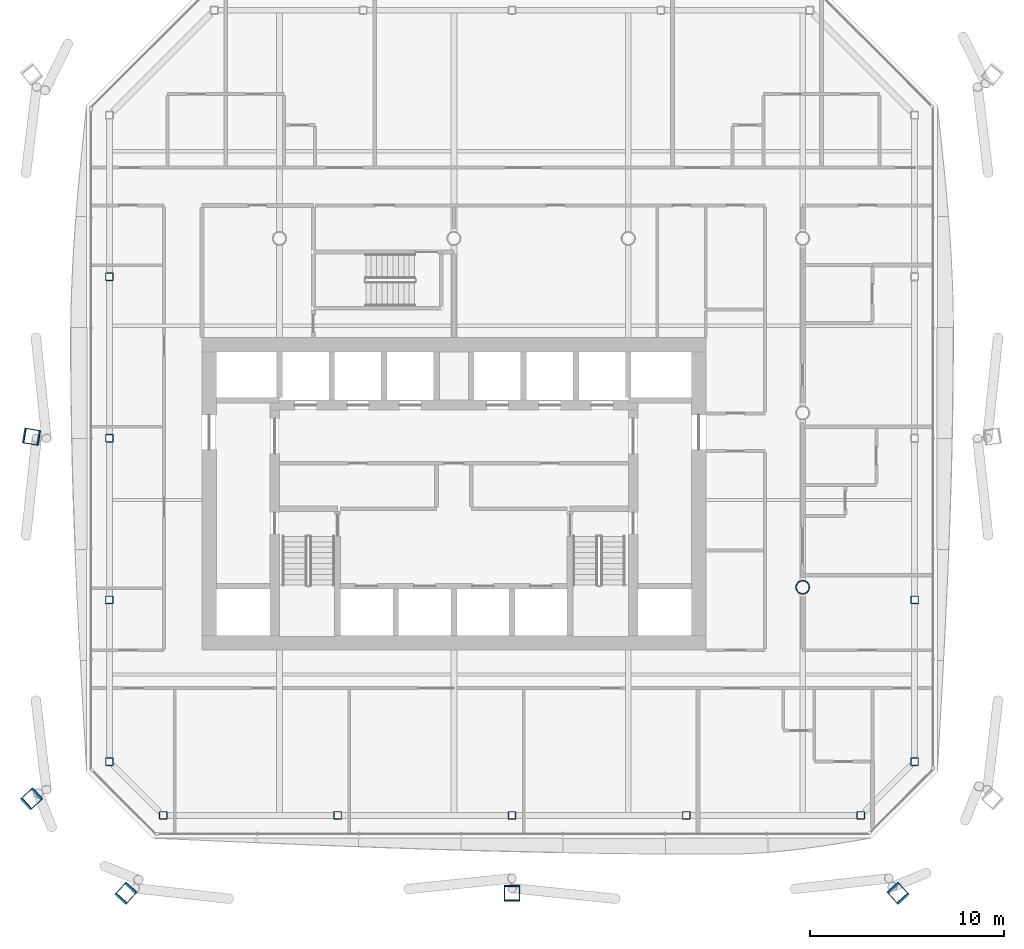
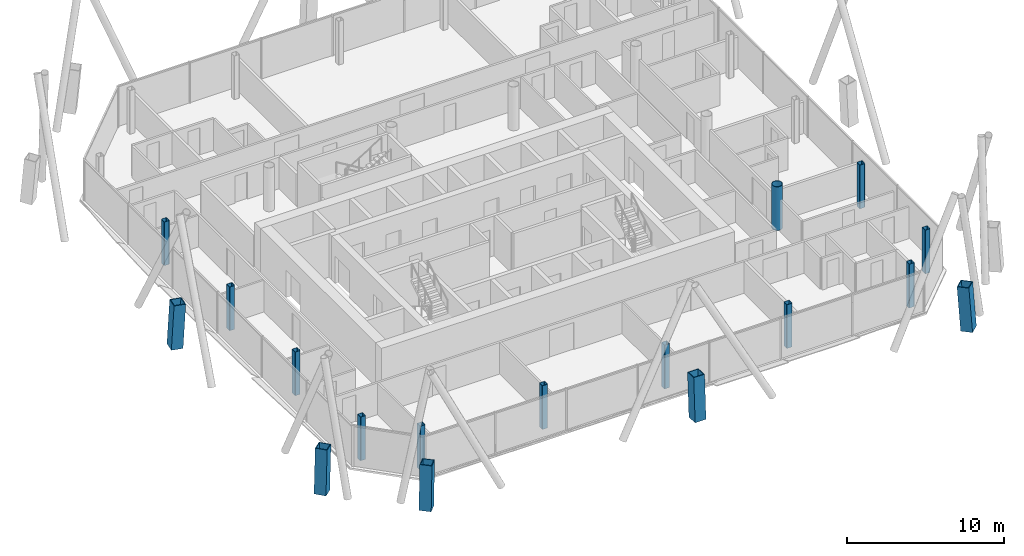
# One storey, part 1 of 20: 17 columns.
"""IFC4 building model written with IfcOpenShell, lengths in metres."""

from ifc_helpers import new_model, si_unit, direction, frame, origin, origin_2d, place, context, subcontext, project, spatial, hollow_rectangle, hollow_circle, extrude, material, material_profile, profile_set, type_object, element, save


model = new_model("IFC4")

# Units and contexts
model_context = context("Model", 3, precision=1e-05, world=origin(), true_north=direction((0.0, 1.0)))
body_context = subcontext(model_context, "Body", "Model", "MODEL_VIEW")
ifc_project = project(units=[si_unit("LENGTHUNIT", "METRE"), si_unit("AREAUNIT", "SQUARE_METRE"), si_unit("VOLUMEUNIT", "CUBIC_METRE"), si_unit("PLANEANGLEUNIT", "RADIAN"), si_unit("MASSUNIT", "GRAM", prefix="KILO")], contexts=[model_context])

# Site, building, storey
site_placement = place(None, origin())
site = spatial("IfcSite", under=ifc_project, at=site_placement, CompositionType="ELEMENT")
building_placement = place(site_placement, origin())
building = spatial("IfcBuilding", under=site, at=building_placement, Name="Tskaro Facet Tower", CompositionType="ELEMENT")
storey_placement = place(building_placement, frame((0.0, 0.0, 152.10009765625)))
storey = spatial("IfcBuildingStorey", under=building, at=storey_placement, Name="L37", CompositionType="ELEMENT", Elevation=152.10009765625)

# Columns
ifc_material_1 = material(Name="Steel S460M", Category="steel")
ifc_material_profile_1 = material_profile(ifc_material_1, hollow_rectangle(XDim=0.800048828125, YDim=0.800048828125, WallThickness=0.050048828125, at=origin_2d()), Name="BOX 800x800x50")
ifc_profile_set_1 = profile_set([ifc_material_profile_1], Name="Steel S460M")
column_type_1 = type_object("IfcColumnType", Name="BOX 800x800x50 mega column", PredefinedType="COLUMN", material=ifc_profile_set_1)
column_1_placement = place(storey_placement, frame((-16.949951171875, -24.823974609375, 0.0), z_axis=(0.048701196711, 0.053642935789, 0.997371860882), x_axis=(-0.740387195305, 0.672180631251, 0.0)))
element("IfcColumn", 1, at=column_1_placement, inside=storey, type_object=column_type_1, Name="BOX 800x800x50 MC01/3", PredefinedType="COLUMN", context=body_context, shape_type="SweptSolid", body=[
    extrude(hollow_rectangle(XDim=0.800048828125, YDim=0.800048828125, WallThickness=0.050048828125, at=origin_2d()), origin(), (0.0, 0.0, 1.0), 3.408935546875),
])
column_2_placement = place(storey_placement, frame((3.0, -24.823974609375, 0.0), z_axis=(0.0, 0.053706664509, 0.998556755616), x_axis=(-1.0, 0.0, 0.0)))
element("IfcColumn", 2, at=column_2_placement, inside=storey, type_object=column_type_1, Name="BOX 800x800x50 MC02/3", PredefinedType="COLUMN", context=body_context, shape_type="SweptSolid", body=[
    extrude(hollow_rectangle(XDim=0.800048828125, YDim=0.800048828125, WallThickness=0.050048828125, at=origin_2d()), origin(), (0.0, 0.0, 1.0), 3.40478515625),
])
column_3_placement = place(storey_placement, frame((22.949951171875, -24.823974609375, 0.0), z_axis=(-0.048701196711, 0.053642935789, 0.997371860882), x_axis=(-0.740387195305, -0.672180631251, 0.0)))
element("IfcColumn", 3, at=column_3_placement, inside=storey, type_object=column_type_1, Name="BOX 800x800x50 MC03/3", PredefinedType="COLUMN", context=body_context, shape_type="SweptSolid", body=[
    extrude(hollow_rectangle(XDim=0.800048828125, YDim=0.800048828125, WallThickness=0.050048828125, at=origin_2d()), origin(), (0.0, 0.0, 1.0), 3.408935546875),
])
column_4_placement = place(storey_placement, frame((-21.823974609375, -1.22607421875, 0.0), z_axis=(0.053704575811, -0.008819309512, 0.998517920879), x_axis=(0.162048444398, 0.986782803695, 0.0)))
element("IfcColumn", 4, at=column_4_placement, inside=storey, type_object=column_type_1, Name="BOX 800x800x50 MC11/3", PredefinedType="COLUMN", context=body_context, shape_type="SweptSolid", body=[
    extrude(hollow_rectangle(XDim=0.800048828125, YDim=0.800048828125, WallThickness=0.050048828125, at=origin_2d()), origin(), (0.0, 0.0, 1.0), 3.405029296875),
])
column_5_placement = place(storey_placement, frame((-21.823974609375, -19.949951171875, 0.0), z_axis=(0.053642935789, 0.048701196711, 0.997371860882), x_axis=(-0.672180631251, 0.740387195305, 0.0)))
element("IfcColumn", 5, at=column_5_placement, inside=storey, type_object=column_type_1, Name="BOX 800x800x50 MC12/3", PredefinedType="COLUMN", context=body_context, shape_type="SweptSolid", body=[
    extrude(hollow_rectangle(XDim=0.800048828125, YDim=0.800048828125, WallThickness=0.050048828125, at=origin_2d()), origin(), (0.0, 0.0, 1.0), 3.408935546875),
])
ifc_material_2 = material(Name="Steel S355J2H", Category="steel")
ifc_material_profile_2 = material_profile(ifc_material_2, hollow_circle(Radius=0.35546875, WallThickness=0.031982421875, at=origin_2d()), Name="CHS 711x32")
ifc_profile_set_2 = profile_set([ifc_material_profile_2], Name="Steel S355J2H")
column_type_2 = type_object("IfcColumnType", Name="CHS 711x32 interior column", PredefinedType="COLUMN", material=ifc_profile_set_2)
column_6_placement = place(storey_placement, frame((18.0, -9.0, 0.0), z_axis=(0.0, 0.0, 1.0), x_axis=(1.0, 0.0, 0.0)))
element("IfcColumn", 6, at=column_6_placement, inside=storey, type_object=column_type_2, Name="CHS 711x32 C6C/3", PredefinedType="COLUMN", context=body_context, shape_type="SweptSolid", body=[
    extrude(hollow_circle(Radius=0.35546875, WallThickness=0.031982421875, at=origin_2d()), origin(), (0.0, 0.0, 1.0), 3.39990234375),
])
ifc_material_profile_3 = material_profile(ifc_material_2, hollow_rectangle(XDim=0.39990234375, YDim=0.39990234375, WallThickness=0.02001953125, InnerFilletRadius=0.030029296875, OuterFilletRadius=0.050048828125, at=origin_2d()), Name="SHS 400x400x20")
ifc_profile_set_3 = profile_set([ifc_material_profile_3], Name="Steel S355J2H")
column_type_3 = type_object("IfcColumnType", Name="SHS 400x400x20 ring column", PredefinedType="COLUMN", material=ifc_profile_set_3)
for number, where, z_axis, x_axis, name in (
    (7, (-14.9990234375, -20.77392578125, 0.0), (0.0, 0.0, 1.0), (1.0, 0.0, 0.0), "SHS 400x400x20 RS-1/3"),
    (8, (-6.0, -20.77392578125, 0.0), (0.0, 0.0, 1.0), (1.0, 0.0, 0.0), "SHS 400x400x20 RS-2/3"),
    (9, (3.0, -20.77392578125, 0.0), (0.0, 0.0, 1.0), (1.0, 0.0, 0.0), "SHS 400x400x20 RS-3/3"),
    (10, (12.0, -20.77392578125, 0.0), (0.0, 0.0, 1.0), (1.0, 0.0, 0.0), "SHS 400x400x20 RS-4/3"),
    (11, (20.9990234375, -20.77392578125, 0.0), (0.0, 0.0, 1.0), (1.0, 0.0, 0.0), "SHS 400x400x20 RSE-1/3"),
    (12, (23.77392578125, -17.9990234375, 0.0), (0.0, 0.0, 1.0), (1.0, 0.0, 0.0), "SHS 400x400x20 RE-1/3"),
    (13, (23.77392578125, -9.656982421875, 0.0), (0.0, 0.0, 1.0), (1.0, 0.0, 0.0), "SHS 400x400x20 RE-2/3"),
    (14, (-17.77392578125, 7.02587890625, 0.0), (0.0, 0.0, 1.0), (1.0, 0.0, 0.0), "SHS 400x400x20 RW-2/3"),
    (15, (-17.77392578125, -1.31494140625, 0.0), (0.0, 0.0, 1.0), (1.0, 0.0, 0.0), "SHS 400x400x20 RW-3/3"),
    (16, (-17.77392578125, -9.656982421875, 0.0), (0.0, 0.0, 1.0), (1.0, 0.0, 0.0), "SHS 400x400x20 RW-4/3"),
    (17, (-17.77392578125, -17.9990234375, 0.0), (0.0, 0.0, 1.0), (1.0, 0.0, 0.0), "SHS 400x400x20 RSW-1/3"),
):
    element("IfcColumn", number, at=place(storey_placement, frame(where, z_axis=z_axis, x_axis=x_axis)), inside=storey, type_object=column_type_3, Name=name, PredefinedType="COLUMN", context=body_context, shape_type="SweptSolid", body=[
        extrude(hollow_rectangle(XDim=0.39990234375, YDim=0.39990234375, WallThickness=0.02001953125, InnerFilletRadius=0.030029296875, OuterFilletRadius=0.050048828125, at=origin_2d()), origin(), (0.0, 0.0, 1.0), 3.39990234375),
    ])

save(model, "model.ifc")
